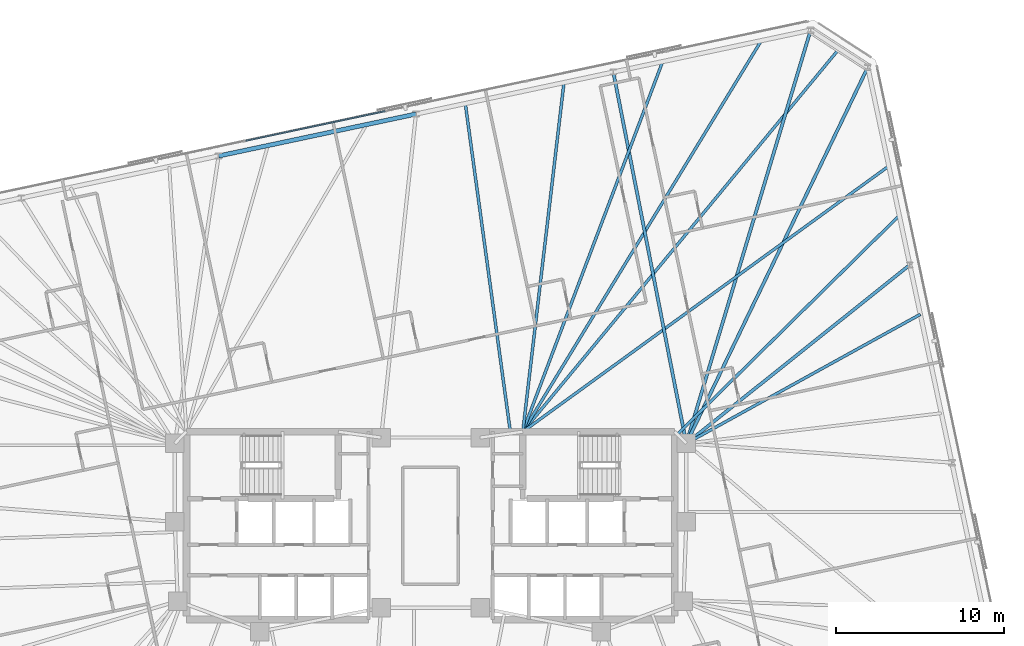
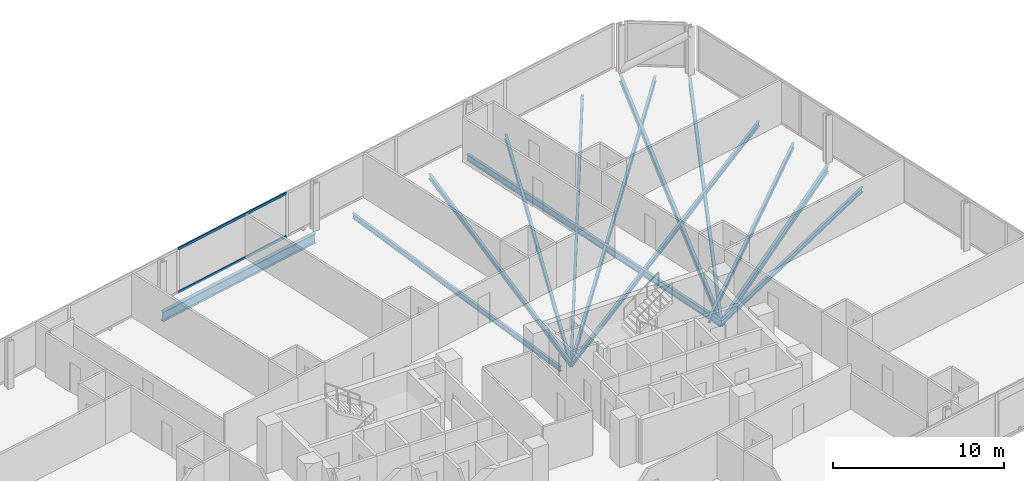
# One storey, part 10 of 19: 13 beams, 2 members, 1 element without a shape of its own.
"""IFC4 building model written with IfcOpenShell, lengths in metres."""

from ifc_helpers import new_model, si_unit, direction, frame, origin, origin_2d, place, context, subcontext, project, spatial, rectangle, i_section, extrude, material, material_profile, profile_set, type_object, element, aggregate, save


model = new_model("IFC4")

# Units and contexts
model_context = context("Model", 3, precision=1e-05, world=origin(), true_north=direction((0.0, 1.0)))
body_context = subcontext(model_context, "Body", "Model", "MODEL_VIEW")
ifc_project = project(units=[si_unit("LENGTHUNIT", "METRE"), si_unit("AREAUNIT", "SQUARE_METRE"), si_unit("VOLUMEUNIT", "CUBIC_METRE"), si_unit("PLANEANGLEUNIT", "RADIAN"), si_unit("MASSUNIT", "GRAM", prefix="KILO")], contexts=[model_context])

# Site, building, storey
site_placement = place(None, origin())
site = spatial("IfcSite", under=ifc_project, at=site_placement, CompositionType="ELEMENT")
building_placement = place(site_placement, origin())
building = spatial("IfcBuilding", under=site, at=building_placement, Name="Menara Jurai Vektor", CompositionType="ELEMENT")
storey_placement = place(building_placement, frame((0.0, 0.0, 182.0)))
storey = spatial("IfcBuildingStorey", under=building, at=storey_placement, Name="L47", CompositionType="ELEMENT", Elevation=182.0)

# Curtain wall, members
ifc_material_1 = material(Name="Anodised Pale Aluminium & Low-E Double Glazing", Category="aluminium")
curtain_wall_type = type_object("IfcCurtainWallType", Name="CW-BLK3", PredefinedType="NOTDEFINED", material=ifc_material_1)
curtain_wall_placement = place(storey_placement, origin())
curtain_wall = element("IfcCurtainWall", 1, at=curtain_wall_placement, inside=storey, type_object=curtain_wall_type, Name="Unitised Curtain Wall L47 F05", PredefinedType="NOTDEFINED")
ifc_material_2 = material(Name="Anodised Pale Aluminium Transom", Category="aluminium")
ifc_material_profile_1 = material_profile(ifc_material_2, rectangle(XDim=0.0849609375, YDim=0.175048828125, at=origin_2d()), Name="ALU TRN 85x175")
ifc_profile_set_1 = profile_set([ifc_material_profile_1], Name="Anodised Pale Aluminium Transom")
member_type = type_object("IfcMemberType", Name="CW-BLK3-TRN", PredefinedType="USERDEFINED", material=ifc_profile_set_1)
member_1_placement = place(storey_placement, frame((-2.716796875, 24.712890625, 0.04248046875), z_axis=(-0.978153589924, -0.207883511896, 0.0), x_axis=(0.207883511896, -0.978153589924, 0.0)))
member_1 = element("IfcMember", 2, at=member_1_placement, type_object=member_type, Name="CW-03 transom 4.1", ObjectType="TRANSOM", PredefinedType="USERDEFINED", context=body_context, shape_type="SweptSolid", body=[
    extrude(rectangle(XDim=0.0849609375, YDim=0.175048828125, at=origin_2d()), origin(), (0.0, 0.0, 1.0), 8.4921875),
])
member_2_placement = place(storey_placement, frame((-2.716796875, 24.712890625, 3.132568359375), z_axis=(-0.978153589924, -0.207883511896, 0.0), x_axis=(0.207883511896, -0.978153589924, 0.0)))
member_2 = element("IfcMember", 3, at=member_2_placement, type_object=member_type, Name="CW-03 transom 4.2", ObjectType="TRANSOM", PredefinedType="USERDEFINED", context=body_context, shape_type="SweptSolid", body=[
    extrude(rectangle(XDim=0.0849609375, YDim=0.175048828125, at=origin_2d()), origin(), (0.0, 0.0, 1.0), 8.4921875),
])
aggregate(curtain_wall, [member_1, member_2])

# Beams
ifc_material_3 = material(Name="Steel S355", Category="steel")
ifc_material_profile_2 = material_profile(ifc_material_3, i_section(OverallWidth=0.19091796875, OverallDepth=0.4599609375, WebThickness=0.010009765625, FlangeThickness=0.01611328125, FilletRadius=0.010009765625, at=origin_2d()), Name="UKB 457x191x82")
ifc_profile_set_2 = profile_set([ifc_material_profile_2], Name="Steel S355")
beam_type_1 = type_object("IfcBeamType", Name="STR-BM-457", PredefinedType="BEAM", material=ifc_profile_set_2)
beam_1_placement = place(storey_placement, frame((28.5771484375, 15.544921875, -0.455078125), z_axis=(-0.781346163898, -0.624097886683, 0.0), x_axis=(0.624097886683, -0.781346163898, 0.0)))
element("IfcBeam", 4, at=beam_1_placement, inside=storey, type_object=beam_type_1, Name="Radial Floor Girder L47-E3", PredefinedType="BEAM", context=body_context, shape_type="SweptSolid", body=[
    extrude(i_section(OverallWidth=0.19091796875, OverallDepth=0.4599609375, WebThickness=0.010009765625, FlangeThickness=0.01611328125, FilletRadius=0.010009765625, at=origin_2d()), origin(), (0.0, 0.0, 1.0), 17.056640625),
])
beam_2_placement = place(storey_placement, frame((26.0712890625, 27.33349609375, -0.455078125), z_axis=(-0.434465059539, -0.900688687639, 0.0), x_axis=(0.900688687639, -0.434465059539, 0.0)))
element("IfcBeam", 5, at=beam_2_placement, inside=storey, type_object=beam_type_1, Name="Radial Floor Girder L47-E4", PredefinedType="BEAM", context=body_context, shape_type="SweptSolid", body=[
    extrude(i_section(OverallWidth=0.19091796875, OverallDepth=0.4599609375, WebThickness=0.010009765625, FlangeThickness=0.01611328125, FilletRadius=0.010009765625, at=origin_2d()), origin(), (0.0, 0.0, 1.0), 24.9072265625),
])
beam_3_placement = place(storey_placement, frame((22.664794921875, 29.545654296875, -0.455078125), z_axis=(-0.288098843548, -0.957600676872, 0.0), x_axis=(0.957600676872, -0.288098843548, 0.0)))
element("IfcBeam", 6, at=beam_3_placement, inside=storey, type_object=beam_type_1, Name="Radial Floor Girder L47-N1", PredefinedType="BEAM", context=body_context, shape_type="SweptSolid", body=[
    extrude(i_section(OverallWidth=0.19091796875, OverallDepth=0.4599609375, WebThickness=0.010009765625, FlangeThickness=0.01611328125, FilletRadius=0.010009765625, at=origin_2d()), origin(), (0.0, 0.0, 1.0), 25.737060546875),
])
beam_4_placement = place(storey_placement, frame((10.896484375, 27.044189453125, -0.455078125), z_axis=(0.192905075816, -0.981217423268, 0.0), x_axis=(0.981217423268, 0.192905075816, 0.0)))
element("IfcBeam", 7, at=beam_4_placement, inside=storey, type_object=beam_type_1, Name="Radial Floor Girder L47-N2", PredefinedType="BEAM", context=body_context, shape_type="SweptSolid", body=[
    extrude(i_section(OverallWidth=0.19091796875, OverallDepth=0.4599609375, WebThickness=0.010009765625, FlangeThickness=0.01611328125, FilletRadius=0.010009765625, at=origin_2d()), origin(), (0.0, 0.0, 1.0), 22.568115234375),
])
ifc_material_profile_3 = material_profile(ifc_material_3, i_section(OverallWidth=0.172119140625, OverallDepth=0.35498046875, WebThickness=0.007080078125, FlangeThickness=0.011962890625, FilletRadius=0.010009765625, at=origin_2d()), Name="UKB 356x171x51")
ifc_profile_set_3 = profile_set([ifc_material_profile_3], Name="Steel S355")
beam_type_2 = type_object("IfcBeamType", Name="STR-JS-356", PredefinedType="JOIST", material=ifc_profile_set_3)
beam_5_placement = place(storey_placement, frame((29.20361328125, 12.597900390625, -0.402587890625), z_axis=(-0.875592207488, -0.483051018202, 0.0), x_axis=(0.483051018202, -0.875592207488, 0.0)))
element("IfcBeam", 8, at=beam_5_placement, inside=storey, type_object=beam_type_2, Name="Radial Secondary Floor Joist L47-JS14", PredefinedType="JOIST", context=body_context, shape_type="SweptSolid", body=[
    extrude(i_section(OverallWidth=0.172119140625, OverallDepth=0.35498046875, WebThickness=0.007080078125, FlangeThickness=0.011962890625, FilletRadius=0.010009765625, at=origin_2d()), origin(), (0.0, 0.0, 1.0), 15.936279296875),
])
beam_6_placement = place(storey_placement, frame((27.95068359375, 18.4921875, -0.402587890625), z_axis=(-0.712171791789, -0.702005227174, 0.0), x_axis=(0.702005227174, -0.712171791789, 0.0)))
element("IfcBeam", 9, at=beam_6_placement, inside=storey, type_object=beam_type_2, Name="Radial Secondary Floor Joist L47-JS15", PredefinedType="JOIST", context=body_context, shape_type="SweptSolid", body=[
    extrude(i_section(OverallWidth=0.172119140625, OverallDepth=0.35498046875, WebThickness=0.007080078125, FlangeThickness=0.011962890625, FilletRadius=0.010009765625, at=origin_2d()), origin(), (0.0, 0.0, 1.0), 18.5869140625),
])
beam_7_placement = place(storey_placement, frame((27.32421875, 21.439208984375, -0.402587890625), z_axis=(-0.809318640486, -0.587369847848, 0.0), x_axis=(0.587369847848, -0.809318640486, 0.0)))
element("IfcBeam", 10, at=beam_7_placement, inside=storey, type_object=beam_type_2, Name="Radial Secondary Floor Joist L47-JS16", PredefinedType="JOIST", context=body_context, shape_type="SweptSolid", body=[
    extrude(i_section(OverallWidth=0.172119140625, OverallDepth=0.35498046875, WebThickness=0.007080078125, FlangeThickness=0.011962890625, FilletRadius=0.010009765625, at=origin_2d()), origin(), (0.0, 0.0, 1.0), 26.966064453125),
])
beam_8_placement = place(storey_placement, frame((24.3681640625, 28.439697265625, -0.402587890625), z_axis=(-0.636894863934, -0.770950667873, 0.0), x_axis=(0.770950667873, -0.636894863934, 0.0)))
element("IfcBeam", 11, at=beam_8_placement, inside=storey, type_object=beam_type_2, Name="Radial Secondary Floor Joist L47-JS17", PredefinedType="JOIST", context=body_context, shape_type="SweptSolid", body=[
    extrude(i_section(OverallWidth=0.172119140625, OverallDepth=0.35498046875, WebThickness=0.007080078125, FlangeThickness=0.011962890625, FilletRadius=0.010009765625, at=origin_2d()), origin(), (0.0, 0.0, 1.0), 29.625244140625),
])
beam_9_placement = place(storey_placement, frame((19.72265625, 28.92041015625, -0.402587890625), z_axis=(-0.520686242997, -0.8537481106, 0.0), x_axis=(0.8537481106, -0.520686242997, 0.0)))
element("IfcBeam", 12, at=beam_9_placement, inside=storey, type_object=beam_type_2, Name="Radial Secondary Floor Joist L47-JS18", PredefinedType="JOIST", context=body_context, shape_type="SweptSolid", body=[
    extrude(i_section(OverallWidth=0.172119140625, OverallDepth=0.35498046875, WebThickness=0.007080078125, FlangeThickness=0.011962890625, FilletRadius=0.010009765625, at=origin_2d()), origin(), (0.0, 0.0, 1.0), 27.315185546875),
])
beam_10_placement = place(storey_placement, frame((13.838623046875, 27.669677734375, -0.402587890625), z_axis=(-0.353446048928, -0.935454910991, 0.0), x_axis=(0.935454910991, -0.353446048928, 0.0)))
element("IfcBeam", 13, at=beam_10_placement, inside=storey, type_object=beam_type_2, Name="Radial Secondary Floor Joist L47-JS19", PredefinedType="JOIST", context=body_context, shape_type="SweptSolid", body=[
    extrude(i_section(OverallWidth=0.172119140625, OverallDepth=0.35498046875, WebThickness=0.007080078125, FlangeThickness=0.011962890625, FilletRadius=0.010009765625, at=origin_2d()), origin(), (0.0, 0.0, 1.0), 23.59228515625),
])
beam_11_placement = place(storey_placement, frame((7.95458984375, 26.4189453125, -0.402587890625), z_axis=(-0.117091260338, -0.99312115915, 0.0), x_axis=(0.99312115915, -0.117091260338, 0.0)))
element("IfcBeam", 14, at=beam_11_placement, inside=storey, type_object=beam_type_2, Name="Radial Secondary Floor Joist L47-JS20", PredefinedType="JOIST", context=body_context, shape_type="SweptSolid", body=[
    extrude(i_section(OverallWidth=0.172119140625, OverallDepth=0.35498046875, WebThickness=0.007080078125, FlangeThickness=0.011962890625, FilletRadius=0.010009765625, at=origin_2d()), origin(), (0.0, 0.0, 1.0), 20.963134765625),
])
beam_12_placement = place(storey_placement, frame((2.0703125, 25.168212890625, -0.402587890625), z_axis=(0.135985700778, -0.990710799973, 0.0), x_axis=(0.990710799973, 0.135985700778, 0.0)))
element("IfcBeam", 15, at=beam_12_placement, inside=storey, type_object=beam_type_2, Name="Radial Secondary Floor Joist L47-JS21", PredefinedType="JOIST", context=body_context, shape_type="SweptSolid", body=[
    extrude(i_section(OverallWidth=0.172119140625, OverallDepth=0.35498046875, WebThickness=0.007080078125, FlangeThickness=0.011962890625, FilletRadius=0.010009765625, at=origin_2d()), origin(), (0.0, 0.0, 1.0), 19.852783203125),
])
ifc_material_4 = material(Name="Steel S460", Category="steel")
ifc_material_profile_4 = material_profile(ifc_material_4, i_section(OverallWidth=0.256103515625, OverallDepth=0.693115234375, WebThickness=0.013916015625, FlangeThickness=0.02392578125, FilletRadius=0.014892578125, at=origin_2d()), Name="UKB 686x254x170")
ifc_profile_set_4 = profile_set([ifc_material_profile_4], Name="Steel S460")
beam_type_3 = type_object("IfcBeamType", Name="STR-SP-686", PredefinedType="SPANDREL", material=ifc_profile_set_4)
beam_13_placement = place(storey_placement, frame((-0.87158203125, 24.54296875, -0.571533203125), z_axis=(-0.978147039247, -0.207914332389, 0.0), x_axis=(0.207914332389, -0.978147039247, 0.0)))
element("IfcBeam", 16, at=beam_13_placement, inside=storey, type_object=beam_type_3, Name="Exoskeleton Spandrel Beam L47-13", PredefinedType="SPANDREL", context=body_context, shape_type="SweptSolid", body=[
    extrude(i_section(OverallWidth=0.256103515625, OverallDepth=0.693115234375, WebThickness=0.013916015625, FlangeThickness=0.02392578125, FilletRadius=0.014892578125, at=origin_2d()), origin(), (0.0, 0.0, 1.0), 12.03125),
])

save(model, "model.ifc")
